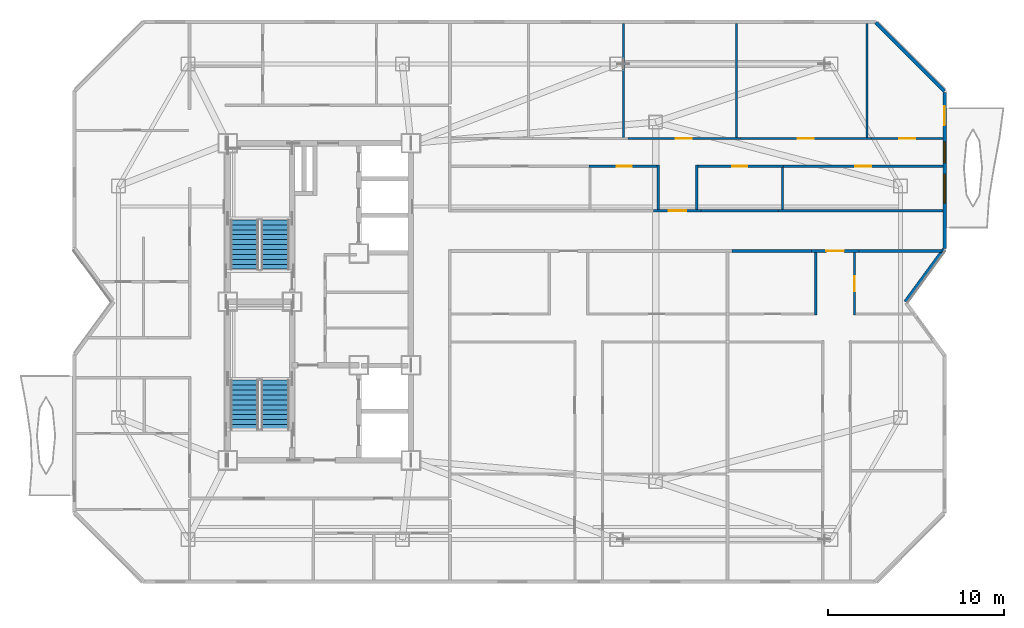
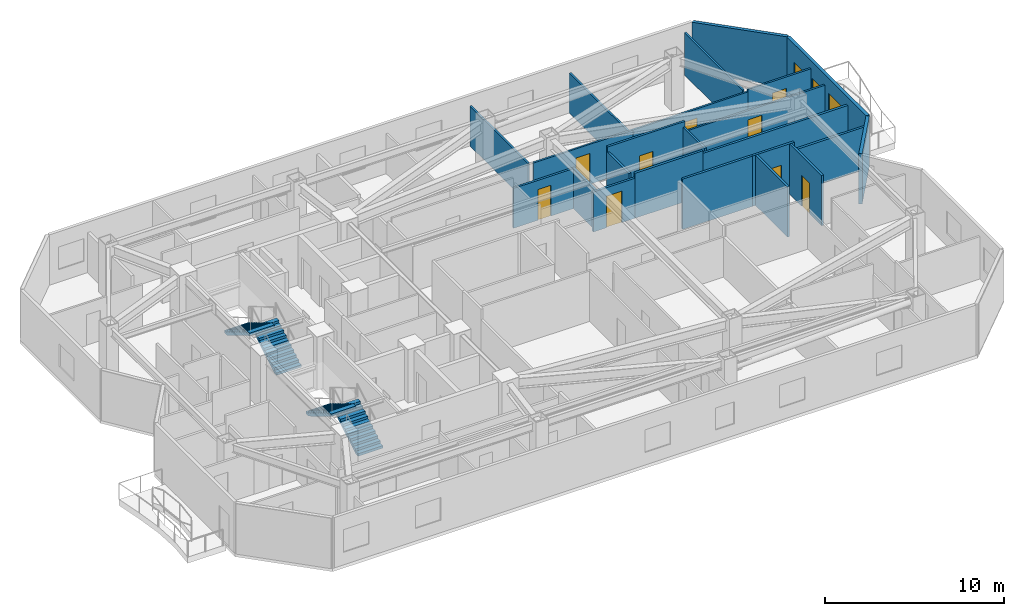
# One storey, part 8 of 10: 23 walls, 10 doors, 4 stair flights, 2 windows, 12 openings, 2 elements without a shape of their own.
"""IFC4 building model written with IfcOpenShell, lengths in metres."""

from ifc_helpers import new_model, si_unit, direction, frame, frame_2d, origin, place, context, subcontext, project, spatial, polyline, rectangle, outline, extrude, material, layer, layer_set, type_object, element, fill, aggregate, save


model = new_model("IFC4")

# Units and contexts
model_context = context("Model", 3, precision=1e-05, world=origin(), true_north=direction((0.0, 1.0)))
body_context = subcontext(model_context, "Body", "Model", "MODEL_VIEW")
ifc_project = project(units=[si_unit("LENGTHUNIT", "METRE"), si_unit("AREAUNIT", "SQUARE_METRE"), si_unit("VOLUMEUNIT", "CUBIC_METRE"), si_unit("PLANEANGLEUNIT", "RADIAN"), si_unit("MASSUNIT", "GRAM", prefix="KILO")], contexts=[model_context])

# Site, building, storey
site_placement = place(None, origin())
site = spatial("IfcSite", under=ifc_project, at=site_placement, CompositionType="ELEMENT")
building_placement = place(site_placement, origin())
building = spatial("IfcBuilding", under=site, at=building_placement, Name="Khamvora Tower", CompositionType="ELEMENT")
storey_placement = place(building_placement, frame((0.0, 0.0, 228.14990234375)))
storey = spatial("IfcBuildingStorey", under=building, at=storey_placement, Name="L58", CompositionType="ELEMENT", Elevation=228.14990234375)

# Wall, opening, door
ifc_material_1 = material(Name="Fire-Rated Drywall and Steel Stud", Category="steel")
ifc_layer_1 = layer(ifc_material_1, 0.14990234375)
ifc_layer_set_1 = layer_set([ifc_layer_1], Name="Fire-Rated Drywall and Steel Stud")
wall_type_1 = type_object("IfcWallType", Name="WAL-CORR-150", PredefinedType="STANDARD", material=ifc_layer_set_1)
wall_1_placement = place(storey_placement, frame((64.840087890625, 30.885009765625, 0.0), z_axis=(0.0, 0.0, 1.0), x_axis=(-1.0, 0.0, 0.0)))
wall_1 = element("IfcWall", 1, at=wall_1_placement, inside=storey, type_object=wall_type_1, Name="L58 interior partition wall 027", PredefinedType="STANDARD", context=body_context, shape_type="SweptSolid", body=[
    extrude(rectangle(XDim=2.697998046875, YDim=0.14990234375, at=frame_2d((1.34912109375, 0.0))), origin(), (0.0, 0.0, 1.0), 3.43017578125),
])
opening_1_placement = place(wall_1_placement, frame((0.84912109375, 0.0, 0.0)))
opening_1 = element("IfcOpeningElement", 2, at=opening_1_placement, cuts=wall_1, Name="Opening D-U1", PredefinedType="OPENING", context=body_context, shape_type="SweptSolid", body=[
    extrude(rectangle(XDim=1.0, YDim=2.14990234375, at=frame_2d((0.5, 1.074951171875))), frame((0.0, 0.0849609375, 0.0), z_axis=(0.0, -1.0, 0.0), x_axis=(1.0, 0.0, 0.0)), (0.0, 0.0, 1.0), 0.169921875),
])
ifc_material_2 = material(Name="Powder-Coated Steel and Hardwood Leaf", Category="steel")
door_type_1 = type_object("IfcDoorType", Name="DOR-UNIT-1000", OperationType="NOTDEFINED", PredefinedType="DOOR", material=ifc_material_2)
door_1_placement = place(opening_1_placement, origin())
door_1 = element("IfcDoor", 3, at=door_1_placement, inside=storey, type_object=door_type_1, Name="L58 interior door COR-58EBH", OperationType="SINGLE_SWING_RIGHT", OverallHeight=2.14990234375, OverallWidth=1.0, PredefinedType="DOOR", context=body_context, shape_type="SweptSolid", body=[
    extrude(rectangle(XDim=1.0, YDim=2.14990234375, at=frame_2d((0.5, 1.074951171875))), frame((0.0, 0.02490234375, 0.0), z_axis=(0.0, -1.0, 0.0), x_axis=(1.0, 0.0, 0.0)), (0.0, 0.0, 1.0), 0.050048828125),
])
fill(opening_1, door_1)

# Walls
wall_2_placement = place(storey_placement, frame((69.56396484375, 30.885009765625, 0.0), z_axis=(0.0, 0.0, 1.0), x_axis=(-1.0, 0.0, 0.0)))
element("IfcWall", 4, at=wall_2_placement, inside=storey, type_object=wall_type_1, Name="L58 interior partition wall 028", PredefinedType="STANDARD", context=body_context, shape_type="SweptSolid", body=[
    extrude(rectangle(XDim=4.723876953125, YDim=0.14990234375, at=frame_2d((2.36181640625, 0.0))), origin(), (0.0, 0.0, 1.0), 2.88720703125),
])
wall_3_placement = place(storey_placement, frame((62.14208984375, 30.885009765625, 0.0), z_axis=(0.0, 0.0, 1.0), x_axis=(-1.0, 0.0, 0.0)))
element("IfcWall", 5, at=wall_3_placement, inside=storey, type_object=wall_type_1, Name="L58 interior partition wall 029", PredefinedType="STANDARD", context=body_context, shape_type="SweptSolid", body=[
    extrude(rectangle(XDim=4.508056640625, YDim=0.14990234375, at=frame_2d((2.25390625, 0.0))), origin(), (0.0, 0.0, 1.0), 3.43017578125),
])
wall_4_placement = place(storey_placement, frame((60.2509765625, 33.1650390625, 0.0), z_axis=(0.0, 0.0, 1.0), x_axis=(1.0, 0.0, 0.0)))
element("IfcWall", 6, at=wall_4_placement, inside=storey, type_object=wall_type_1, Name="L58 interior partition wall 032", PredefinedType="STANDARD", context=body_context, shape_type="SweptSolid", body=[
    extrude(rectangle(XDim=9.35693359375, YDim=0.14990234375, at=frame_2d((4.678466796875, 0.0))), origin(), (0.0, 0.0, 1.0), 2.88720703125),
])

# Wall, opening, door
wall_5_placement = place(storey_placement, frame((53.18603515625, 33.1650390625, 0.0), z_axis=(0.0, 0.0, 1.0), x_axis=(1.0, 0.0, 0.0)))
wall_5 = element("IfcWall", 7, at=wall_5_placement, inside=storey, type_object=wall_type_1, Name="L58 interior partition wall 034", PredefinedType="STANDARD", context=body_context, shape_type="SweptSolid", body=[
    extrude(rectangle(XDim=2.697998046875, YDim=0.14990234375, at=frame_2d((1.34912109375, 0.0))), origin(), (0.0, 0.0, 1.0), 2.72509765625),
])
opening_2_placement = place(wall_5_placement, frame((0.84912109375, 0.0, 0.0)))
opening_2 = element("IfcOpeningElement", 8, at=opening_2_placement, cuts=wall_5, Name="Opening D-U1", PredefinedType="OPENING", context=body_context, shape_type="SweptSolid", body=[
    extrude(rectangle(XDim=1.0, YDim=2.14990234375, at=frame_2d((0.5, 1.074951171875))), frame((0.0, 0.0849609375, 0.0), z_axis=(0.0, -1.0, 0.0), x_axis=(1.0, 0.0, 0.0)), (0.0, 0.0, 1.0), 0.169921875),
])
door_2_placement = place(opening_2_placement, origin())
door_2 = element("IfcDoor", 9, at=door_2_placement, inside=storey, type_object=door_type_1, Name="L58 interior door COR-58ECH", OperationType="SINGLE_SWING_LEFT", OverallHeight=2.14990234375, OverallWidth=1.0, PredefinedType="DOOR", context=body_context, shape_type="SweptSolid", body=[
    extrude(rectangle(XDim=1.0, YDim=2.14990234375, at=frame_2d((0.5, 1.074951171875))), frame((0.0, 0.02490234375, 0.0), z_axis=(0.0, -1.0, 0.0), x_axis=(1.0, 0.0, 0.0)), (0.0, 0.0, 1.0), 0.050048828125),
])
fill(opening_2, door_2)

# Walls
wall_6_placement = place(storey_placement, frame((55.884033203125, 33.1650390625, 0.0), z_axis=(0.0, 0.0, 1.0), x_axis=(1.0, 0.0, 0.0)))
element("IfcWall", 10, at=wall_6_placement, inside=storey, type_object=wall_type_1, Name="L58 interior partition wall 036", PredefinedType="STANDARD", context=body_context, shape_type="SweptSolid", body=[
    extrude(rectangle(XDim=4.366943359375, YDim=0.14990234375, at=frame_2d((2.18359375, 0.0))), origin(), (0.0, 0.0, 1.0), 3.065185546875),
])
ifc_material_3 = material(Name="Precast concrete C40/50", Category="concrete")
ifc_layer_2 = layer(ifc_material_3, 0.199951171875)
ifc_layer_set_2 = layer_set([ifc_layer_2], Name="Precast concrete C40/50")
wall_type_2 = type_object("IfcWallType", Name="WAL-EXT-200", PredefinedType="STANDARD", material=ifc_layer_set_2)
wall_7_placement = place(storey_placement, frame((65.802001953125, 43.85693359375, 0.0), z_axis=(0.0, 0.0, 1.0), x_axis=(0.707106781187, -0.707106781187, 0.0)))
element("IfcWall", 11, at=wall_7_placement, inside=storey, type_object=wall_type_2, Name="L58 exterior facade wall 08.1", PredefinedType="STANDARD", context=body_context, shape_type="SweptSolid", body=[
    extrude(rectangle(XDim=5.512451171875, YDim=0.199951171875, at=frame_2d((2.75634765625, 0.0))), origin(), (0.0, 0.0, 1.0), 3.43017578125),
])

# Wall, openings, door, windows
wall_8_placement = place(storey_placement, frame((69.699951171875, 39.89599609375, 0.0), z_axis=(0.0, 0.0, 1.0), x_axis=(0.0, -1.0, 0.0)))
wall_8 = element("IfcWall", 12, at=wall_8_placement, inside=storey, type_object=wall_type_2, Name="L58 exterior facade wall 09.1", PredefinedType="STANDARD", context=body_context, shape_type="SweptSolid", body=[
    extrude(rectangle(XDim=8.863037109375, YDim=0.199951171875, at=frame_2d((4.431640625, 0.0))), origin(), (0.0, 0.0, 1.0), 3.43017578125),
])
opening_3_placement = place(wall_8_placement, frame((0.784912109375, 0.0, 0.0)))
opening_3 = element("IfcOpeningElement", 13, at=opening_3_placement, cuts=wall_8, Name="Opening BD-01", PredefinedType="OPENING", context=body_context, shape_type="SweptSolid", body=[
    extrude(rectangle(XDim=1.10009765625, YDim=2.199951171875, at=frame_2d((0.550048828125, 1.10009765625))), frame((0.0, 0.10986328125, 0.0), z_axis=(0.0, -1.0, 0.0), x_axis=(1.0, 0.0, 0.0)), (0.0, 0.0, 1.0), 0.219970703125),
])
opening_4_placement = place(wall_8_placement, frame((4.64111328125, 0.0, 0.85009765625)))
opening_4 = element("IfcOpeningElement", 14, at=opening_4_placement, cuts=wall_8, Name="Opening WN-06", PredefinedType="OPENING", context=body_context, shape_type="SweptSolid", body=[
    extrude(rectangle(XDim=1.64990234375, YDim=1.550048828125, at=frame_2d((0.824951171875, 0.77490234375))), frame((0.0, 0.10986328125, 0.0), z_axis=(0.0, -1.0, 0.0), x_axis=(1.0, 0.0, 0.0)), (0.0, 0.0, 1.0), 0.219970703125),
])
opening_5_placement = place(wall_8_placement, frame((2.81103515625, 0.0, 0.800048828125)))
opening_5 = element("IfcOpeningElement", 15, at=opening_5_placement, cuts=wall_8, Name="Opening WN-03", PredefinedType="OPENING", context=body_context, shape_type="SweptSolid", body=[
    extrude(rectangle(XDim=1.199951171875, YDim=1.5, at=frame_2d((0.60009765625, 0.75))), frame((0.0, 0.10986328125, 0.0), z_axis=(0.0, -1.0, 0.0), x_axis=(1.0, 0.0, 0.0)), (0.0, 0.0, 1.0), 0.219970703125),
])
ifc_material_4 = material(Name="Anodised Aluminium and Laminated Safety Glass", Category="aluminium")
door_type_2 = type_object("IfcDoorType", Name="DOR-BAL-1100", OperationType="NOTDEFINED", PredefinedType="DOOR", material=ifc_material_4)
door_3_placement = place(opening_3_placement, origin())
door_3 = element("IfcDoor", 16, at=door_3_placement, inside=storey, type_object=door_type_2, Name="L58 lens gallery balcony door EL2", OperationType="SLIDING_TO_LEFT", OverallHeight=2.199951171875, OverallWidth=1.10009765625, PredefinedType="DOOR", context=body_context, shape_type="SweptSolid", body=[
    extrude(rectangle(XDim=1.10009765625, YDim=2.199951171875, at=frame_2d((0.550048828125, 1.10009765625))), frame((0.0, 0.02490234375, 0.0), z_axis=(0.0, -1.0, 0.0), x_axis=(1.0, 0.0, 0.0)), (0.0, 0.0, 1.0), 0.050048828125),
])
fill(opening_3, door_3)
ifc_material_5 = material(Name="Low-E Laminated Double Glazing", Category="glass")
window_type_1 = type_object("IfcWindowType", Name="WIN-VIS-1200x1500", PartitioningType="SINGLE_PANEL", PredefinedType="WINDOW", material=ifc_material_5)
window_1_placement = place(opening_5_placement, origin())
window_1 = element("IfcWindow", 17, at=window_1_placement, inside=storey, type_object=window_type_1, Name="L58 vision window 09.1.02", OverallHeight=1.5, OverallWidth=1.199951171875, PartitioningType="SINGLE_PANEL", PredefinedType="WINDOW", context=body_context, shape_type="SweptSolid", body=[
    extrude(rectangle(XDim=1.199951171875, YDim=1.5, at=frame_2d((0.60009765625, 0.75))), frame((0.0, 0.030029296875, 0.0), z_axis=(0.0, -1.0, 0.0), x_axis=(1.0, 0.0, 0.0)), (0.0, 0.0, 1.0), 0.06005859375),
])
fill(opening_5, window_1)
window_type_2 = type_object("IfcWindowType", Name="WIN-VIS-1650x1550", PartitioningType="SINGLE_PANEL", PredefinedType="WINDOW", material=ifc_material_5)
window_2_placement = place(opening_4_placement, origin())
window_2 = element("IfcWindow", 18, at=window_2_placement, inside=storey, type_object=window_type_2, Name="L58 vision window 09.1.01", OverallHeight=1.550048828125, OverallWidth=1.64990234375, PartitioningType="SINGLE_PANEL", PredefinedType="WINDOW", context=body_context, shape_type="SweptSolid", body=[
    extrude(rectangle(XDim=1.64990234375, YDim=1.550048828125, at=frame_2d((0.824951171875, 0.77490234375))), frame((0.0, 0.030029296875, 0.0), z_axis=(0.0, -1.0, 0.0), x_axis=(1.0, 0.0, 0.0)), (0.0, 0.0, 1.0), 0.06005859375),
])
fill(opening_4, window_2)

# Wall
wall_9_placement = place(storey_placement, frame((69.669921875, 30.991943359375, 0.0), z_axis=(0.0, 0.0, 1.0), x_axis=(-0.591320870733, -0.806436375566, 0.0)))
element("IfcWall", 19, at=wall_9_placement, inside=storey, type_object=wall_type_2, Name="L58 exterior facade wall 10.1", PredefinedType="STANDARD", context=body_context, shape_type="SweptSolid", body=[
    extrude(rectangle(XDim=3.7099609375, YDim=0.199951171875, at=frame_2d((1.85498046875, 0.0))), origin(), (0.0, 0.0, 1.0), 3.43017578125),
])

# Wall, opening, door
ifc_material_6 = material(Name="Gypsum Plasterboard Partition", Category="gypsum")
ifc_layer_3 = layer(ifc_material_6, 0.1201171875)
ifc_layer_set_3 = layer_set([ifc_layer_3], Name="Gypsum Plasterboard Partition")
wall_type_3 = type_object("IfcWallType", Name="WAL-PART-120", PredefinedType="PARTITIONING", material=ifc_layer_set_3)
wall_10_placement = place(storey_placement, frame((60.56494140625, 35.695068359375, 0.0), z_axis=(0.0, 0.0, 1.0), x_axis=(1.0, 0.0, 0.0)))
wall_10 = element("IfcWall", 20, at=wall_10_placement, inside=storey, type_object=wall_type_3, Name="L58 interior partition wall 093", PredefinedType="PARTITIONING", context=body_context, shape_type="SweptSolid", body=[
    extrude(rectangle(XDim=9.04296875, YDim=0.1201171875, at=frame_2d((4.521484375, 0.0))), origin(), (0.0, 0.0, 1.0), 2.72509765625),
])
opening_6_placement = place(wall_10_placement, frame((4.071044921875, 0.0, 0.0)))
opening_6 = element("IfcOpeningElement", 21, at=opening_6_placement, cuts=wall_10, Name="Opening D-RM1", PredefinedType="OPENING", context=body_context, shape_type="SweptSolid", body=[
    extrude(rectangle(XDim=0.89990234375, YDim=2.10009765625, at=frame_2d((0.449951171875, 1.050048828125))), frame((0.0, 0.070068359375, 0.0), z_axis=(0.0, -1.0, 0.0), x_axis=(1.0, 0.0, 0.0)), (0.0, 0.0, 1.0), 0.14013671875),
])
door_type_3 = type_object("IfcDoorType", Name="DOR-ROOM-900", OperationType="NOTDEFINED", PredefinedType="DOOR", material=ifc_material_2)
door_4_placement = place(opening_6_placement, origin())
door_4 = element("IfcDoor", 22, at=door_4_placement, inside=storey, type_object=door_type_3, Name="L58 interior door 58ECW2-58ECH", OperationType="SINGLE_SWING_RIGHT", OverallHeight=2.10009765625, OverallWidth=0.89990234375, PredefinedType="DOOR", context=body_context, shape_type="SweptSolid", body=[
    extrude(rectangle(XDim=0.89990234375, YDim=2.10009765625, at=frame_2d((0.449951171875, 1.050048828125))), frame((0.0, 0.02490234375, 0.0), z_axis=(0.0, -1.0, 0.0), x_axis=(1.0, 0.0, 0.0)), (0.0, 0.0, 1.0), 0.050048828125),
])
fill(opening_6, door_4)

wall_11_placement = place(storey_placement, frame((51.718994140625, 37.27490234375, 0.0), z_axis=(0.0, 0.0, 1.0), x_axis=(1.0, 0.0, 0.0)))
wall_11 = element("IfcWall", 23, at=wall_11_placement, inside=storey, type_object=wall_type_3, Name="L58 interior partition wall 101", PredefinedType="PARTITIONING", context=body_context, shape_type="SweptSolid", body=[
    extrude(rectangle(XDim=6.409912109375, YDim=0.1201171875, at=frame_2d((3.205078125, 0.0))), origin(), (0.0, 0.0, 1.0), 2.72509765625),
])
opening_7_placement = place(wall_11_placement, frame((2.73388671875, 0.0, 0.0)))
opening_7 = element("IfcOpeningElement", 24, at=opening_7_placement, cuts=wall_11, Name="Opening D-RM1", PredefinedType="OPENING", context=body_context, shape_type="SweptSolid", body=[
    extrude(rectangle(XDim=0.89990234375, YDim=2.10009765625, at=frame_2d((0.449951171875, 1.050048828125))), frame((0.0, 0.070068359375, 0.0), z_axis=(0.0, -1.0, 0.0), x_axis=(1.0, 0.0, 0.0)), (0.0, 0.0, 1.0), 0.14013671875),
])
door_5_placement = place(opening_7_placement, origin())
door_5 = element("IfcDoor", 25, at=door_5_placement, inside=storey, type_object=door_type_3, Name="L58 interior door 58ECH-58ECR3", OperationType="SINGLE_SWING_RIGHT", OverallHeight=2.10009765625, OverallWidth=0.89990234375, PredefinedType="DOOR", context=body_context, shape_type="SweptSolid", body=[
    extrude(rectangle(XDim=0.89990234375, YDim=2.10009765625, at=frame_2d((0.449951171875, 1.050048828125))), frame((0.0, 0.02490234375, 0.0), z_axis=(0.0, -1.0, 0.0), x_axis=(1.0, 0.0, 0.0)), (0.0, 0.0, 1.0), 0.050048828125),
])
fill(opening_7, door_5)

wall_12_placement = place(storey_placement, frame((58.12890625, 37.27490234375, 0.0), z_axis=(0.0, 0.0, 1.0), x_axis=(1.0, 0.0, 0.0)))
wall_12 = element("IfcWall", 26, at=wall_12_placement, inside=storey, type_object=wall_type_3, Name="L58 interior partition wall 102", PredefinedType="PARTITIONING", context=body_context, shape_type="SweptSolid", body=[
    extrude(rectangle(XDim=7.420166015625, YDim=0.1201171875, at=frame_2d((3.7099609375, 0.0))), origin(), (0.0, 0.0, 1.0), 2.72509765625),
])
opening_8_placement = place(wall_12_placement, frame((3.239013671875, 0.0, 0.0)))
opening_8 = element("IfcOpeningElement", 27, at=opening_8_placement, cuts=wall_12, Name="Opening D-RM1", PredefinedType="OPENING", context=body_context, shape_type="SweptSolid", body=[
    extrude(rectangle(XDim=0.89990234375, YDim=2.10009765625, at=frame_2d((0.449951171875, 1.050048828125))), frame((0.0, 0.070068359375, 0.0), z_axis=(0.0, -1.0, 0.0), x_axis=(1.0, 0.0, 0.0)), (0.0, 0.0, 1.0), 0.14013671875),
])
door_6_placement = place(opening_8_placement, origin())
door_6 = element("IfcDoor", 28, at=door_6_placement, inside=storey, type_object=door_type_3, Name="L58 interior door 58ECH-58ECR4", OperationType="SINGLE_SWING_RIGHT", OverallHeight=2.10009765625, OverallWidth=0.89990234375, PredefinedType="DOOR", context=body_context, shape_type="SweptSolid", body=[
    extrude(rectangle(XDim=0.89990234375, YDim=2.10009765625, at=frame_2d((0.449951171875, 1.050048828125))), frame((0.0, 0.02490234375, 0.0), z_axis=(0.0, -1.0, 0.0), x_axis=(1.0, 0.0, 0.0)), (0.0, 0.0, 1.0), 0.050048828125),
])
fill(opening_8, door_6)

wall_13_placement = place(storey_placement, frame((65.549072265625, 37.27490234375, 0.0), z_axis=(0.0, 0.0, 1.0), x_axis=(1.0, 0.0, 0.0)))
wall_13 = element("IfcWall", 29, at=wall_13_placement, inside=storey, type_object=wall_type_3, Name="L58 interior partition wall 103", PredefinedType="PARTITIONING", context=body_context, shape_type="SweptSolid", body=[
    extrude(rectangle(XDim=4.058837890625, YDim=0.1201171875, at=frame_2d((2.029296875, 0.0))), origin(), (0.0, 0.0, 1.0), 2.88720703125),
])
opening_9_placement = place(wall_13_placement, frame((1.580078125, 0.0, 0.0)))
opening_9 = element("IfcOpeningElement", 30, at=opening_9_placement, cuts=wall_13, Name="Opening D-RM1", PredefinedType="OPENING", context=body_context, shape_type="SweptSolid", body=[
    extrude(rectangle(XDim=0.89990234375, YDim=2.10009765625, at=frame_2d((0.449951171875, 1.050048828125))), frame((0.0, 0.070068359375, 0.0), z_axis=(0.0, -1.0, 0.0), x_axis=(1.0, 0.0, 0.0)), (0.0, 0.0, 1.0), 0.14013671875),
])
door_7_placement = place(opening_9_placement, origin())
door_7 = element("IfcDoor", 31, at=door_7_placement, inside=storey, type_object=door_type_3, Name="L58 interior door 58ECH-58ECR5", OperationType="SINGLE_SWING_LEFT", OverallHeight=2.10009765625, OverallWidth=0.89990234375, PredefinedType="DOOR", context=body_context, shape_type="SweptSolid", body=[
    extrude(rectangle(XDim=0.89990234375, YDim=2.10009765625, at=frame_2d((0.449951171875, 1.050048828125))), frame((0.0, 0.02490234375, 0.0), z_axis=(0.0, -1.0, 0.0), x_axis=(1.0, 0.0, 0.0)), (0.0, 0.0, 1.0), 0.050048828125),
])
fill(opening_9, door_7)

# Walls
for number, where, z_axis, x_axis, name in (
    (32, (51.469970703125, 43.80810546875, 0.0), (0.0, 0.0, 1.0), (0.0, -1.0, 0.0), "L58 interior partition wall 105"),
    (33, (57.8798828125, 43.80810546875, 0.0), (0.0, 0.0, 1.0), (0.0, -1.0, 0.0), "L58 interior partition wall 106"),
):
    element("IfcWall", number, at=place(storey_placement, frame(where, z_axis=z_axis, x_axis=x_axis)), inside=storey, type_object=wall_type_3, Name=name, PredefinedType="PARTITIONING", context=body_context, shape_type="SweptSolid", body=[
        extrude(rectangle(XDim=6.47900390625, YDim=0.1201171875, at=frame_2d((3.239501953125, 0.0))), origin(), (0.0, 0.0, 1.0), 2.72509765625),
    ])
wall_14_placement = place(storey_placement, frame((65.300048828125, 43.80810546875, 0.0), z_axis=(0.0, 0.0, 1.0), x_axis=(0.0, -1.0, 0.0)))
element("IfcWall", 34, at=wall_14_placement, inside=storey, type_object=wall_type_3, Name="L58 interior partition wall 107", PredefinedType="PARTITIONING", context=body_context, shape_type="SweptSolid", body=[
    extrude(rectangle(XDim=6.47900390625, YDim=0.1201171875, at=frame_2d((3.239501953125, 0.0))), origin(), (0.0, 0.0, 1.0), 2.88720703125),
])

# Wall, opening, door
ifc_material_7 = material(Name="Moisture-Resistant Plasterboard Partition", Category="gypsum")
ifc_layer_4 = layer(ifc_material_7, 0.135009765625)
ifc_layer_set_4 = layer_set([ifc_layer_4], Name="Moisture-Resistant Plasterboard Partition")
wall_type_4 = type_object("IfcWallType", Name="WAL-WET-135", PredefinedType="PARTITIONING", material=ifc_layer_set_4)
wall_15_placement = place(storey_placement, frame((64.591064453125, 30.820068359375, 0.0), z_axis=(0.0, 0.0, 1.0), x_axis=(0.0, -1.0, 0.0)))
wall_15 = element("IfcWall", 35, at=wall_15_placement, inside=storey, type_object=wall_type_4, Name="L58 interior partition wall 079", PredefinedType="PARTITIONING", context=body_context, shape_type="SweptSolid", body=[
    extrude(rectangle(XDim=3.580078125, YDim=0.135009765625, at=frame_2d((1.7900390625, 0.0))), origin(), (0.0, 0.0, 1.0), 3.43017578125),
])
opening_10_placement = place(wall_15_placement, frame((1.364990234375, 0.0, 0.0)))
opening_10 = element("IfcOpeningElement", 36, at=opening_10_placement, cuts=wall_15, Name="Opening D-WC1", PredefinedType="OPENING", context=body_context, shape_type="SweptSolid", body=[
    extrude(rectangle(XDim=0.85009765625, YDim=2.10009765625, at=frame_2d((0.425048828125, 1.050048828125))), frame((0.0, 0.077392578125, 0.0), z_axis=(0.0, -1.0, 0.0), x_axis=(1.0, 0.0, 0.0)), (0.0, 0.0, 1.0), 0.155029296875),
])
door_type_4 = type_object("IfcDoorType", Name="DOR-WET-850", OperationType="NOTDEFINED", PredefinedType="DOOR", material=ifc_material_2)
door_8_placement = place(opening_10_placement, origin())
door_8 = element("IfcDoor", 37, at=door_8_placement, inside=storey, type_object=door_type_4, Name="L58 interior door 58EBH-58EBB", OperationType="SINGLE_SWING_LEFT", OverallHeight=2.10009765625, OverallWidth=0.85009765625, PredefinedType="DOOR", context=body_context, shape_type="SweptSolid", body=[
    extrude(rectangle(XDim=0.85009765625, YDim=2.10009765625, at=frame_2d((0.425048828125, 1.050048828125))), frame((0.0, 0.02490234375, 0.0), z_axis=(0.0, -1.0, 0.0), x_axis=(1.0, 0.0, 0.0)), (0.0, 0.0, 1.0), 0.050048828125),
])
fill(opening_10, door_8)

# Walls
wall_16_placement = place(storey_placement, frame((62.39111328125, 27.239990234375, 0.0), z_axis=(0.0, 0.0, 1.0), x_axis=(0.0, 1.0, 0.0)))
element("IfcWall", 38, at=wall_16_placement, inside=storey, type_object=wall_type_4, Name="L58 interior partition wall 082", PredefinedType="PARTITIONING", context=body_context, shape_type="SweptSolid", body=[
    extrude(rectangle(XDim=3.580078125, YDim=0.135009765625, at=frame_2d((1.7900390625, 0.0))), origin(), (0.0, 0.0, 1.0), 3.43017578125),
])
wall_17_placement = place(storey_placement, frame((60.5, 33.23193359375, 0.0), z_axis=(0.0, 0.0, 1.0), x_axis=(0.0, 1.0, 0.0)))
element("IfcWall", 39, at=wall_17_placement, inside=storey, type_object=wall_type_4, Name="L58 interior partition wall 094", PredefinedType="PARTITIONING", context=body_context, shape_type="SweptSolid", body=[
    extrude(rectangle(XDim=2.39794921875, YDim=0.135009765625, at=frame_2d((1.198974609375, 0.0))), origin(), (0.0, 0.0, 1.0), 3.065185546875),
])
wall_18_placement = place(storey_placement, frame((53.43505859375, 33.23193359375, 0.0), z_axis=(0.0, 0.0, 1.0), x_axis=(0.0, 1.0, 0.0)))
element("IfcWall", 40, at=wall_18_placement, inside=storey, type_object=wall_type_4, Name="L58 interior partition wall 095", PredefinedType="PARTITIONING", context=body_context, shape_type="SweptSolid", body=[
    extrude(rectangle(XDim=2.528076171875, YDim=0.135009765625, at=frame_2d((1.26416015625, 0.0))), origin(), (0.0, 0.0, 1.0), 2.72509765625),
])

# Wall, opening, door
wall_19_placement = place(storey_placement, frame((53.5, 35.695068359375, 0.0), z_axis=(0.0, 0.0, 1.0), x_axis=(-1.0, 0.0, 0.0)))
wall_19 = element("IfcWall", 41, at=wall_19_placement, inside=storey, type_object=wall_type_4, Name="L58 interior partition wall 096", PredefinedType="PARTITIONING", context=body_context, shape_type="SweptSolid", body=[
    extrude(rectangle(XDim=3.9951171875, YDim=0.135009765625, at=frame_2d((1.99755859375, 0.0))), origin(), (0.0, 0.0, 1.0), 2.72509765625),
])
opening_11_placement = place(wall_19_placement, frame((1.572998046875, 0.0, 0.0)))
opening_11 = element("IfcOpeningElement", 42, at=opening_11_placement, cuts=wall_19, Name="Opening D-WC1", PredefinedType="OPENING", context=body_context, shape_type="SweptSolid", body=[
    extrude(rectangle(XDim=0.85009765625, YDim=2.10009765625, at=frame_2d((0.425048828125, 1.050048828125))), frame((0.0, 0.077392578125, 0.0), z_axis=(0.0, -1.0, 0.0), x_axis=(1.0, 0.0, 0.0)), (0.0, 0.0, 1.0), 0.155029296875),
])
door_9_placement = place(opening_11_placement, origin())
door_9 = element("IfcDoor", 43, at=door_9_placement, inside=storey, type_object=door_type_4, Name="L58 interior door 58ECH-58ECB", OperationType="SINGLE_SWING_LEFT", OverallHeight=2.10009765625, OverallWidth=0.85009765625, PredefinedType="DOOR", context=body_context, shape_type="SweptSolid", body=[
    extrude(rectangle(XDim=0.85009765625, YDim=2.10009765625, at=frame_2d((0.425048828125, 1.050048828125))), frame((0.0, 0.02490234375, 0.0), z_axis=(0.0, -1.0, 0.0), x_axis=(1.0, 0.0, 0.0)), (0.0, 0.0, 1.0), 0.050048828125),
])
fill(opening_11, door_9)

wall_20_placement = place(storey_placement, frame((60.56494140625, 35.695068359375, 0.0), z_axis=(0.0, 0.0, 1.0), x_axis=(-1.0, 0.0, 0.0)))
wall_20 = element("IfcWall", 44, at=wall_20_placement, inside=storey, type_object=wall_type_4, Name="L58 interior partition wall 097", PredefinedType="PARTITIONING", context=body_context, shape_type="SweptSolid", body=[
    extrude(rectangle(XDim=4.994873046875, YDim=0.135009765625, at=frame_2d((2.49755859375, 0.0))), origin(), (0.0, 0.0, 1.0), 3.43017578125),
])
opening_12_placement = place(wall_20_placement, frame((2.072998046875, 0.0, 0.0)))
opening_12 = element("IfcOpeningElement", 45, at=opening_12_placement, cuts=wall_20, Name="Opening D-RM2", PredefinedType="OPENING", context=body_context, shape_type="SweptSolid", body=[
    extrude(rectangle(XDim=0.85009765625, YDim=2.10009765625, at=frame_2d((0.425048828125, 1.050048828125))), frame((0.0, 0.077392578125, 0.0), z_axis=(0.0, -1.0, 0.0), x_axis=(1.0, 0.0, 0.0)), (0.0, 0.0, 1.0), 0.155029296875),
])
door_type_5 = type_object("IfcDoorType", Name="DOR-ROOM-850", OperationType="NOTDEFINED", PredefinedType="DOOR", material=ifc_material_2)
door_10_placement = place(opening_12_placement, origin())
door_10 = element("IfcDoor", 46, at=door_10_placement, inside=storey, type_object=door_type_5, Name="L58 interior door 58ECH-58ECK", OperationType="SINGLE_SWING_RIGHT", OverallHeight=2.10009765625, OverallWidth=0.85009765625, PredefinedType="DOOR", context=body_context, shape_type="SweptSolid", body=[
    extrude(rectangle(XDim=0.85009765625, YDim=2.10009765625, at=frame_2d((0.425048828125, 1.050048828125))), frame((0.0, 0.02490234375, 0.0), z_axis=(0.0, -1.0, 0.0), x_axis=(1.0, 0.0, 0.0)), (0.0, 0.0, 1.0), 0.050048828125),
])
fill(opening_12, door_10)

# Wall
wall_21_placement = place(storey_placement, frame((55.635009765625, 35.760009765625, 0.0), z_axis=(0.0, 0.0, 1.0), x_axis=(0.0, -1.0, 0.0)))
element("IfcWall", 47, at=wall_21_placement, inside=storey, type_object=wall_type_4, Name="L58 interior partition wall 098", PredefinedType="PARTITIONING", context=body_context, shape_type="SweptSolid", body=[
    extrude(rectangle(XDim=2.528076171875, YDim=0.135009765625, at=frame_2d((1.26416015625, 0.0))), origin(), (0.0, 0.0, 1.0), 3.065185546875),
])

# Stair, stair flights
ifc_material_8 = material(Name="Concrete C40/50", Category="concrete")
stair_type_1 = type_object("IfcStairType", Name="STR-ST-01", PredefinedType="HALF_TURN_STAIR", material=ifc_material_8)
stair_1_placement = place(storey_placement, origin())
stair_1 = element("IfcStair", 48, at=stair_1_placement, inside=storey, type_object=stair_type_1, Name="L58 South Tower Exit Stair ST-01", PredefinedType="HALF_TURN_STAIR")
stair_flight_type_1 = type_object("IfcStairFlightType", Name="STF-ST-01", PredefinedType="STRAIGHT", material=ifc_material_8)
stair_flight_1_placement = place(storey_placement, frame((31.699951171875, 20.75, 0.0), z_axis=(0.0, 0.0, 1.0), x_axis=(0.0, 1.0, 0.0)))
stair_flight_1 = element("IfcStairFlight", 49, at=stair_flight_1_placement, type_object=stair_flight_type_1, Name="ST-01 flight 1", NumberOfRisers=11, NumberOfTreads=10, PredefinedType="STRAIGHT", RiserHeight=0.165909091, TreadLength=0.28, context=body_context, shape_type="SweptSolid", body=[
    extrude(outline(polyline([(0.0, 0.0), (0.0, 0.166015625), (0.280029296875, 0.166015625), (0.280029296875, 0.331787109375), (0.56005859375, 0.331787109375), (0.56005859375, 0.497802734375), (0.840087890625, 0.497802734375), (0.840087890625, 0.66357421875), (1.1201171875, 0.66357421875), (1.1201171875, 0.82958984375), (1.39990234375, 0.82958984375), (1.39990234375, 0.995361328125), (1.679931640625, 0.995361328125), (1.679931640625, 1.161376953125), (1.9599609375, 1.161376953125), (1.9599609375, 1.327392578125), (2.239990234375, 1.327392578125), (2.239990234375, 1.4931640625), (2.52001953125, 1.4931640625), (2.52001953125, 1.6591796875), (2.800048828125, 1.6591796875), (2.800048828125, 1.824951171875), (2.800048828125, 1.48486328125), (0.2939453125, 0.0), (0.0, 0.0)])), frame((0.0, 0.800048828125, 0.0), z_axis=(0.0, -1.0, 0.0), x_axis=(1.0, 0.0, 0.0)), (0.0, 0.0, 1.0), 1.60009765625),
])
stair_flight_2_placement = place(storey_placement, frame((29.949951171875, 23.550048828125, 1.8251953125), z_axis=(0.0, 0.0, 1.0), x_axis=(0.0, -1.0, 0.0)))
stair_flight_2 = element("IfcStairFlight", 50, at=stair_flight_2_placement, type_object=stair_flight_type_1, Name="ST-01 flight 2", NumberOfRisers=11, NumberOfTreads=10, PredefinedType="STRAIGHT", RiserHeight=0.165909091, TreadLength=0.28, context=body_context, shape_type="SweptSolid", body=[
    extrude(outline(polyline([(0.0, 0.0), (0.0, 0.166015625), (0.280029296875, 0.166015625), (0.280029296875, 0.331787109375), (0.56005859375, 0.331787109375), (0.56005859375, 0.497802734375), (0.840087890625, 0.497802734375), (0.840087890625, 0.66357421875), (1.1201171875, 0.66357421875), (1.1201171875, 0.82958984375), (1.39990234375, 0.82958984375), (1.39990234375, 0.995361328125), (1.679931640625, 0.995361328125), (1.679931640625, 1.161376953125), (1.9599609375, 1.161376953125), (1.9599609375, 1.327392578125), (2.239990234375, 1.327392578125), (2.239990234375, 1.4931640625), (2.52001953125, 1.4931640625), (2.52001953125, 1.6591796875), (2.800048828125, 1.6591796875), (2.800048828125, 1.824951171875), (2.800048828125, 1.48486328125), (0.2939453125, 0.0), (0.0, 0.0)])), frame((0.0, 0.800048828125, 0.0), z_axis=(0.0, -1.0, 0.0), x_axis=(1.0, 0.0, 0.0)), (0.0, 0.0, 1.0), 1.60009765625),
])
aggregate(stair_1, [stair_flight_1, stair_flight_2])

stair_type_2 = type_object("IfcStairType", Name="STR-ST-02", PredefinedType="HALF_TURN_STAIR", material=ifc_material_8)
stair_2_placement = place(storey_placement, origin())
stair_2 = element("IfcStair", 51, at=stair_2_placement, inside=storey, type_object=stair_type_2, Name="L58 North Tower Exit Stair ST-02", PredefinedType="HALF_TURN_STAIR")
stair_flight_type_2 = type_object("IfcStairFlightType", Name="STF-ST-02", PredefinedType="STRAIGHT", material=ifc_material_8)
stair_flight_3_placement = place(storey_placement, frame((31.699951171875, 29.85009765625, 0.0), z_axis=(0.0, 0.0, 1.0), x_axis=(0.0, 1.0, 0.0)))
stair_flight_3 = element("IfcStairFlight", 52, at=stair_flight_3_placement, type_object=stair_flight_type_2, Name="ST-02 flight 1", NumberOfRisers=11, NumberOfTreads=10, PredefinedType="STRAIGHT", RiserHeight=0.165909091, TreadLength=0.28, context=body_context, shape_type="SweptSolid", body=[
    extrude(outline(polyline([(0.0, 0.0), (0.0, 0.166015625), (0.280029296875, 0.166015625), (0.280029296875, 0.331787109375), (0.56005859375, 0.331787109375), (0.56005859375, 0.497802734375), (0.840087890625, 0.497802734375), (0.840087890625, 0.66357421875), (1.1201171875, 0.66357421875), (1.1201171875, 0.82958984375), (1.39990234375, 0.82958984375), (1.39990234375, 0.995361328125), (1.679931640625, 0.995361328125), (1.679931640625, 1.161376953125), (1.9599609375, 1.161376953125), (1.9599609375, 1.327392578125), (2.239990234375, 1.327392578125), (2.239990234375, 1.4931640625), (2.52001953125, 1.4931640625), (2.52001953125, 1.6591796875), (2.800048828125, 1.6591796875), (2.800048828125, 1.824951171875), (2.800048828125, 1.48486328125), (0.2939453125, 0.0), (0.0, 0.0)])), frame((0.0, 0.800048828125, 0.0), z_axis=(0.0, -1.0, 0.0), x_axis=(1.0, 0.0, 0.0)), (0.0, 0.0, 1.0), 1.60009765625),
])
stair_flight_4_placement = place(storey_placement, frame((29.949951171875, 32.64990234375, 1.8251953125), z_axis=(0.0, 0.0, 1.0), x_axis=(0.0, -1.0, 0.0)))
stair_flight_4 = element("IfcStairFlight", 53, at=stair_flight_4_placement, type_object=stair_flight_type_2, Name="ST-02 flight 2", NumberOfRisers=11, NumberOfTreads=10, PredefinedType="STRAIGHT", RiserHeight=0.165909091, TreadLength=0.28, context=body_context, shape_type="SweptSolid", body=[
    extrude(outline(polyline([(0.0, 0.0), (0.0, 0.166015625), (0.280029296875, 0.166015625), (0.280029296875, 0.331787109375), (0.56005859375, 0.331787109375), (0.56005859375, 0.497802734375), (0.840087890625, 0.497802734375), (0.840087890625, 0.66357421875), (1.1201171875, 0.66357421875), (1.1201171875, 0.82958984375), (1.39990234375, 0.82958984375), (1.39990234375, 0.995361328125), (1.679931640625, 0.995361328125), (1.679931640625, 1.161376953125), (1.9599609375, 1.161376953125), (1.9599609375, 1.327392578125), (2.239990234375, 1.327392578125), (2.239990234375, 1.4931640625), (2.52001953125, 1.4931640625), (2.52001953125, 1.6591796875), (2.800048828125, 1.6591796875), (2.800048828125, 1.824951171875), (2.800048828125, 1.48486328125), (0.2939453125, 0.0), (0.0, 0.0)])), frame((0.0, 0.800048828125, 0.0), z_axis=(0.0, -1.0, 0.0), x_axis=(1.0, 0.0, 0.0)), (0.0, 0.0, 1.0), 1.60009765625),
])
aggregate(stair_2, [stair_flight_3, stair_flight_4])

save(model, "model.ifc")
